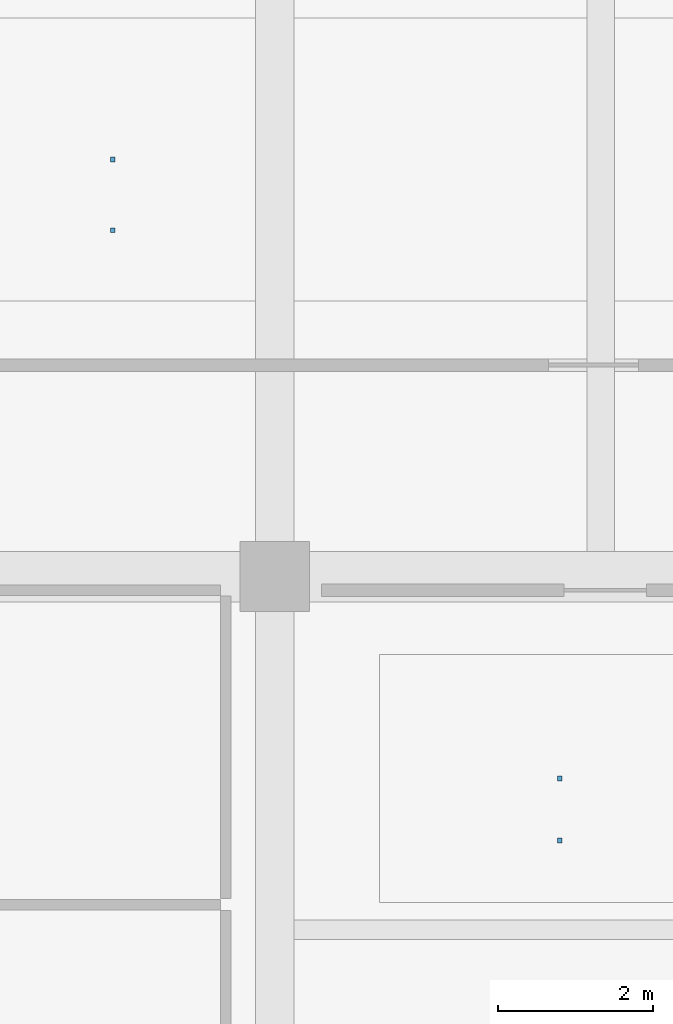
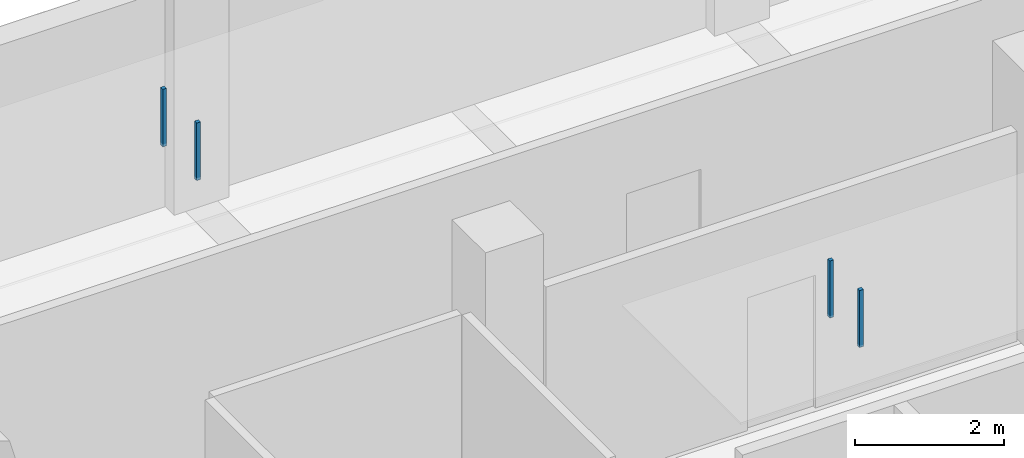
# One storey, part 17 of 36: 4 discrete accessories.
"""IFC4 building model written with IfcOpenShell, lengths in metres."""

from ifc_helpers import new_model, si_unit, direction, frame, origin, origin_2d, place, context, subcontext, project, spatial, rectangle, extrude, material, type_object, element, save


model = new_model("IFC4")

# Units and contexts
model_context = context("Model", 3, precision=1e-05, world=origin(), true_north=direction((0.0, 1.0)))
body_context = subcontext(model_context, "Body", "Model", "MODEL_VIEW")
ifc_project = project(units=[si_unit("LENGTHUNIT", "METRE"), si_unit("AREAUNIT", "SQUARE_METRE"), si_unit("VOLUMEUNIT", "CUBIC_METRE"), si_unit("PLANEANGLEUNIT", "RADIAN"), si_unit("MASSUNIT", "GRAM", prefix="KILO")], contexts=[model_context])

# Site, building, storey
site_placement = place(None, origin())
site = spatial("IfcSite", under=ifc_project, at=site_placement, CompositionType="ELEMENT")
building_placement = place(site_placement, origin())
building = spatial("IfcBuilding", under=site, at=building_placement, Name="Telukmera Botanical Conservatory", CompositionType="ELEMENT")
storey_placement = place(building_placement, frame((0.0, 0.0, 24.0)))
storey = spatial("IfcBuildingStorey", under=building, at=storey_placement, Name="L05", CompositionType="ELEMENT", Elevation=24.0)

# Discrete accessories
ifc_material = material(Name="Steel S355", Category="steel")
discrete_accessory_type = type_object("IfcDiscreteAccessoryType", Name="ACC-CEIL-HGR", PredefinedType="BRACKET", material=ifc_material)
for number, where, z_axis, x_axis, name in (
    (1, (79.27099609375, 31.0, 3.320068359375), (0.0, 0.0, 1.0), (1.0, 0.0, 0.0), "L05 Suspended Ceiling Hanger Rod 011-1"),
    (2, (79.27099609375, 31.800048828125, 3.320068359375), (0.0, 0.0, 1.0), (1.0, 0.0, 0.0), "L05 Suspended Ceiling Hanger Rod 011-2"),
):
    element("IfcDiscreteAccessory", number, at=place(storey_placement, frame(where, z_axis=z_axis, x_axis=x_axis)), inside=storey, type_object=discrete_accessory_type, Name=name, PredefinedType="BRACKET", context=body_context, shape_type="SweptSolid", body=[
        extrude(rectangle(XDim=0.06005859375, YDim=0.06005859375, at=origin_2d()), origin(), (0.0, 0.0, 1.0), 0.93505859375),
    ])
for number, where, z_axis, x_axis, name in (
    (3, (73.511962890625, 38.862548828125, 3.31005859375), (0.0, 0.0, 1.0), (1.0, 0.0, 0.0), "L05 Suspended Ceiling Hanger Rod 038-1"),
    (4, (73.511962890625, 39.77490234375, 3.31005859375), (0.0, 0.0, 1.0), (1.0, 0.0, 0.0), "L05 Suspended Ceiling Hanger Rod 038-2"),
):
    element("IfcDiscreteAccessory", number, at=place(storey_placement, frame(where, z_axis=z_axis, x_axis=x_axis)), inside=storey, type_object=discrete_accessory_type, Name=name, PredefinedType="BRACKET", context=body_context, shape_type="SweptSolid", body=[
        extrude(rectangle(XDim=0.06005859375, YDim=0.06005859375, at=origin_2d()), origin(), (0.0, 0.0, 1.0), 0.945068359375),
    ])

save(model, "model.ifc")
